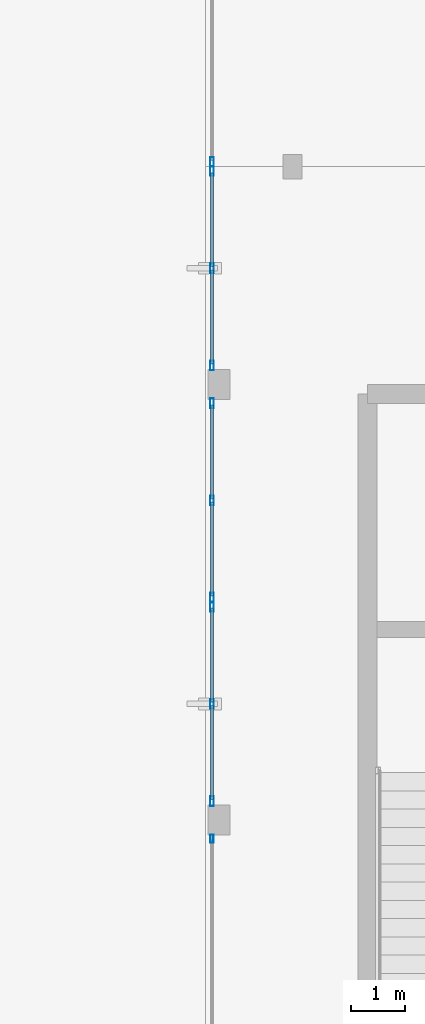
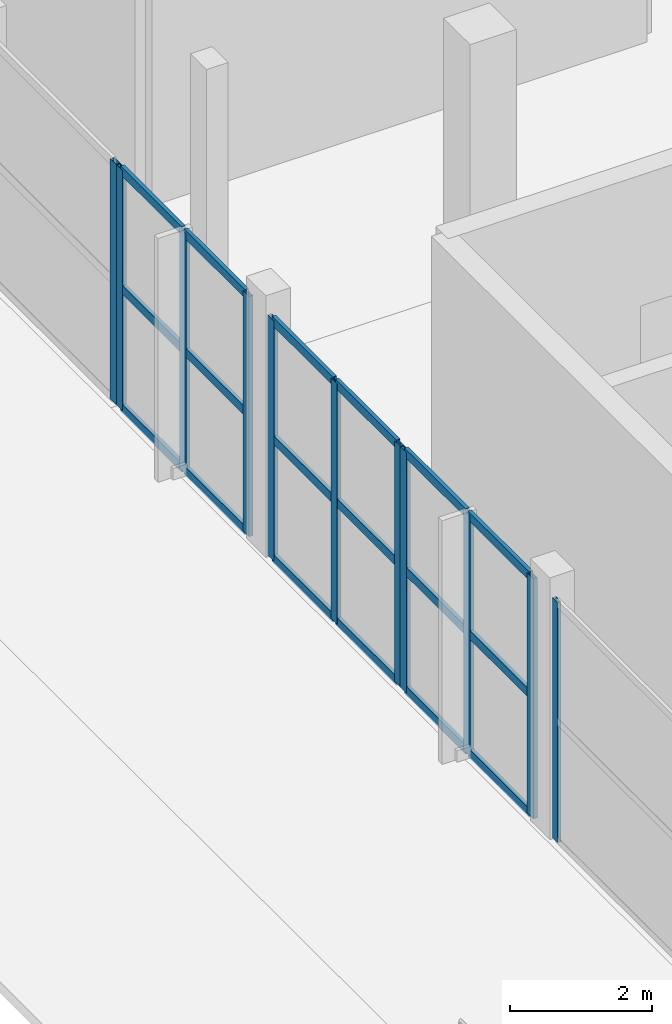
# One storey, part 26 of 123: 29 members, 5 elements without a shape of their own.
"""IFC4 building model written with IfcOpenShell, lengths in metres."""

from ifc_helpers import new_model, si_unit, direction, frame, origin, origin_2d, place, context, subcontext, project, spatial, hollow_rectangle, extrude, material, layer, layer_set, material_profile, profile_set, type_object, element, aggregate, save


model = new_model("IFC4")

# Units and contexts
model_context = context("Model", 3, precision=1e-05, world=origin(), true_north=direction((0.0, 1.0)))
body_context = subcontext(model_context, "Body", "Model", "MODEL_VIEW")
ifc_project = project(units=[si_unit("LENGTHUNIT", "METRE"), si_unit("AREAUNIT", "SQUARE_METRE"), si_unit("VOLUMEUNIT", "CUBIC_METRE"), si_unit("PLANEANGLEUNIT", "RADIAN"), si_unit("MASSUNIT", "GRAM", prefix="KILO")], contexts=[model_context])

# Site, building, storey
site_placement = place(None, origin())
site = spatial("IfcSite", under=ifc_project, at=site_placement, CompositionType="ELEMENT")
building_placement = place(site_placement, origin())
building = spatial("IfcBuilding", under=site, at=building_placement, Name="Kalgoora Escarpment Arena", CompositionType="ELEMENT")
storey_placement = place(building_placement, frame((0.0, 0.0, 9.89990234375)))
storey = spatial("IfcBuildingStorey", under=building, at=storey_placement, Name="L02", CompositionType="ELEMENT", Elevation=9.89990234375)

# Curtain wall, member
ifc_material_1 = material(Name=" Champagne anodised aluminium & double-glazed low-E", Category="aluminium")
ifc_layer_1 = layer(ifc_material_1, 0.14990234375)
ifc_layer_set_1 = layer_set([ifc_layer_1], Name="CW-UNIT-20")
curtain_wall_type_1 = type_object("IfcCurtainWallType", Name="CW-UNIT-20", PredefinedType="NOTDEFINED", material=ifc_layer_set_1)
curtain_wall_1_placement = place(storey_placement, origin())
curtain_wall_1 = element("IfcCurtainWall", 1, at=curtain_wall_1_placement, inside=storey, type_object=curtain_wall_type_1, Name="L02 unitised facade curtain wall 059", PredefinedType="NOTDEFINED")
ifc_material_2 = material(Name="Anodised aluminium 6063-T6", Category="aluminium")
ifc_material_profile_1 = material_profile(ifc_material_2, hollow_rectangle(XDim=0.06005859375, YDim=0.14990234375, WallThickness=0.00341796875, at=origin_2d()))
ifc_profile_set_1 = profile_set([ifc_material_profile_1], Name="Anodised aluminium 6063-T6")
member_type_1 = type_object("IfcMemberType", Name="MEM-CW-MULL-150", PredefinedType="MULLION", material=ifc_profile_set_1)
member_1_placement = place(storey_placement, frame((8.52001953125, 51.65576171875, 0.02001953125), z_axis=(0.0, 0.0, 1.0), x_axis=(-1.0, 0.0, 0.0)))
member_1 = element("IfcMember", 2, at=member_1_placement, type_object=member_type_1, Name="CW-20 mullion 2", PredefinedType="MULLION", context=body_context, shape_type="SweptSolid", body=[
    extrude(hollow_rectangle(XDim=0.06005859375, YDim=0.14990234375, WallThickness=0.00341796875, at=origin_2d()), origin(), (0.0, 0.0, 1.0), 4.130126953125),
])
aggregate(curtain_wall_1, [member_1])

# Curtain wall, members
ifc_material_3 = material(Name=" Champagne anodised aluminium & double-glazed low-E", Category="aluminium")
ifc_layer_2 = layer(ifc_material_3, 0.154052734375)
ifc_layer_set_2 = layer_set([ifc_layer_2], Name="CW-UNIT-01")
curtain_wall_type_2 = type_object("IfcCurtainWallType", Name="CW-UNIT-01", PredefinedType="NOTDEFINED", material=ifc_layer_set_2)
curtain_wall_2_placement = place(storey_placement, origin())
curtain_wall_2 = element("IfcCurtainWall", 3, at=curtain_wall_2_placement, inside=storey, type_object=curtain_wall_type_2, Name="L02 unitised facade curtain wall 060", PredefinedType="NOTDEFINED")
ifc_material_4 = material(Name="Anodised aluminium 6063-T6", Category="aluminium")
ifc_material_profile_2 = material_profile(ifc_material_4, hollow_rectangle(XDim=0.06494140625, YDim=0.179931640625, WallThickness=0.00390625, at=origin_2d()))
ifc_profile_set_2 = profile_set([ifc_material_profile_2], Name="Anodised aluminium 6063-T6")
member_type_2 = type_object("IfcMemberType", Name="MEM-CW-MULL-180", PredefinedType="MULLION", material=ifc_profile_set_2)
member_2_placement = place(storey_placement, frame((8.52001953125, 52.3466796875, 0.02001953125), z_axis=(0.0, 0.0, 1.0), x_axis=(-1.0, 0.0, 0.0)))
member_2 = element("IfcMember", 4, at=member_2_placement, type_object=member_type_2, Name="CW-01 mullion 1", PredefinedType="MULLION", context=body_context, shape_type="SweptSolid", body=[
    extrude(hollow_rectangle(XDim=0.06494140625, YDim=0.179931640625, WallThickness=0.00390625, at=origin_2d()), origin(), (0.0, 0.0, 1.0), 4.130126953125),
])
member_3_placement = place(storey_placement, frame((8.52001953125, 54.132080078125, 0.02001953125), z_axis=(0.0, 0.0, 1.0), x_axis=(-1.0, 0.0, 0.0)))
member_3 = element("IfcMember", 5, at=member_3_placement, type_object=member_type_2, Name="CW-01 mullion 2", PredefinedType="MULLION", context=body_context, shape_type="SweptSolid", body=[
    extrude(hollow_rectangle(XDim=0.06494140625, YDim=0.179931640625, WallThickness=0.00390625, at=origin_2d()), origin(), (0.0, 0.0, 1.0), 4.130126953125),
])
member_4_placement = place(storey_placement, frame((8.52001953125, 55.91748046875, 0.02001953125), z_axis=(0.0, 0.0, 1.0), x_axis=(-1.0, 0.0, 0.0)))
member_4 = element("IfcMember", 6, at=member_4_placement, type_object=member_type_2, Name="CW-01 mullion 3", PredefinedType="MULLION", context=body_context, shape_type="SweptSolid", body=[
    extrude(hollow_rectangle(XDim=0.06494140625, YDim=0.179931640625, WallThickness=0.00390625, at=origin_2d()), origin(), (0.0, 0.0, 1.0), 4.130126953125),
])

ifc_material_5 = material(Name=" Champagne anodised aluminium & double-glazed low-E", Category="aluminium")
ifc_layer_3 = layer(ifc_material_5, 0.157958984375)
ifc_layer_set_3 = layer_set([ifc_layer_3], Name="CW-UNIT-02")
curtain_wall_type_3 = type_object("IfcCurtainWallType", Name="CW-UNIT-02", PredefinedType="NOTDEFINED", material=ifc_layer_set_3)
curtain_wall_3_placement = place(storey_placement, origin())
curtain_wall_3 = element("IfcCurtainWall", 7, at=curtain_wall_3_placement, inside=storey, type_object=curtain_wall_type_3, Name="L02 unitised facade curtain wall 061", PredefinedType="NOTDEFINED")
member_5_placement = place(storey_placement, frame((8.52001953125, 56.08251953125, 0.02001953125), z_axis=(0.0, 0.0, 1.0), x_axis=(-1.0, 0.0, 0.0)))
member_5 = element("IfcMember", 8, at=member_5_placement, type_object=member_type_2, Name="CW-02 mullion 1", PredefinedType="MULLION", context=body_context, shape_type="SweptSolid", body=[
    extrude(hollow_rectangle(XDim=0.06494140625, YDim=0.179931640625, WallThickness=0.00390625, at=origin_2d()), origin(), (0.0, 0.0, 1.0), 4.130126953125),
])
member_6_placement = place(storey_placement, frame((8.52001953125, 57.867919921875, 0.02001953125), z_axis=(0.0, 0.0, 1.0), x_axis=(-1.0, 0.0, 0.0)))
member_6 = element("IfcMember", 9, at=member_6_placement, type_object=member_type_2, Name="CW-02 mullion 2", PredefinedType="MULLION", context=body_context, shape_type="SweptSolid", body=[
    extrude(hollow_rectangle(XDim=0.06494140625, YDim=0.179931640625, WallThickness=0.00390625, at=origin_2d()), origin(), (0.0, 0.0, 1.0), 4.130126953125),
])
member_7_placement = place(storey_placement, frame((8.52001953125, 59.6533203125, 0.02001953125), z_axis=(0.0, 0.0, 1.0), x_axis=(-1.0, 0.0, 0.0)))
member_7 = element("IfcMember", 10, at=member_7_placement, type_object=member_type_2, Name="CW-02 mullion 3", PredefinedType="MULLION", context=body_context, shape_type="SweptSolid", body=[
    extrude(hollow_rectangle(XDim=0.06494140625, YDim=0.179931640625, WallThickness=0.00390625, at=origin_2d()), origin(), (0.0, 0.0, 1.0), 4.130126953125),
])

ifc_material_6 = material(Name=" Champagne anodised aluminium & double-glazed low-E", Category="aluminium")
ifc_layer_4 = layer(ifc_material_6, 0.162109375)
ifc_layer_set_4 = layer_set([ifc_layer_4], Name="CW-UNIT-03")
curtain_wall_type_4 = type_object("IfcCurtainWallType", Name="CW-UNIT-03", PredefinedType="NOTDEFINED", material=ifc_layer_set_4)
curtain_wall_4_placement = place(storey_placement, origin())
curtain_wall_4 = element("IfcCurtainWall", 11, at=curtain_wall_4_placement, inside=storey, type_object=curtain_wall_type_4, Name="L02 unitised facade curtain wall 062", PredefinedType="NOTDEFINED")
member_8_placement = place(storey_placement, frame((8.52001953125, 60.3466796875, 0.02001953125), z_axis=(0.0, 0.0, 1.0), x_axis=(-1.0, 0.0, 0.0)))
member_8 = element("IfcMember", 12, at=member_8_placement, type_object=member_type_2, Name="CW-03 mullion 1", PredefinedType="MULLION", context=body_context, shape_type="SweptSolid", body=[
    extrude(hollow_rectangle(XDim=0.06494140625, YDim=0.179931640625, WallThickness=0.00390625, at=origin_2d()), origin(), (0.0, 0.0, 1.0), 4.130126953125),
])
member_9_placement = place(storey_placement, frame((8.52001953125, 62.132080078125, 0.02001953125), z_axis=(0.0, 0.0, 1.0), x_axis=(-1.0, 0.0, 0.0)))
member_9 = element("IfcMember", 13, at=member_9_placement, type_object=member_type_2, Name="CW-03 mullion 2", PredefinedType="MULLION", context=body_context, shape_type="SweptSolid", body=[
    extrude(hollow_rectangle(XDim=0.06494140625, YDim=0.179931640625, WallThickness=0.00390625, at=origin_2d()), origin(), (0.0, 0.0, 1.0), 4.130126953125),
])
member_10_placement = place(storey_placement, frame((8.52001953125, 63.91748046875, 0.02001953125), z_axis=(0.0, 0.0, 1.0), x_axis=(-1.0, 0.0, 0.0)))
member_10 = element("IfcMember", 14, at=member_10_placement, type_object=member_type_2, Name="CW-03 mullion 3", PredefinedType="MULLION", context=body_context, shape_type="SweptSolid", body=[
    extrude(hollow_rectangle(XDim=0.06494140625, YDim=0.179931640625, WallThickness=0.00390625, at=origin_2d()), origin(), (0.0, 0.0, 1.0), 4.130126953125),
])

# Curtain wall, member
ifc_material_7 = material(Name=" Champagne anodised aluminium & double-glazed low-E", Category="aluminium")
ifc_layer_5 = layer(ifc_material_7, 0.166015625)
ifc_layer_set_5 = layer_set([ifc_layer_5], Name="CW-UNIT-04")
curtain_wall_type_5 = type_object("IfcCurtainWallType", Name="CW-UNIT-04", PredefinedType="NOTDEFINED", material=ifc_layer_set_5)
curtain_wall_5_placement = place(storey_placement, origin())
curtain_wall_5 = element("IfcCurtainWall", 15, at=curtain_wall_5_placement, inside=storey, type_object=curtain_wall_type_5, Name="L02 unitised facade curtain wall 063", PredefinedType="NOTDEFINED")
member_11_placement = place(storey_placement, frame((8.52001953125, 64.08251953125, 0.02001953125), z_axis=(0.0, 0.0, 1.0), x_axis=(-1.0, 0.0, 0.0)))
member_11 = element("IfcMember", 16, at=member_11_placement, type_object=member_type_2, Name="CW-04 mullion 1", PredefinedType="MULLION", context=body_context, shape_type="SweptSolid", body=[
    extrude(hollow_rectangle(XDim=0.06494140625, YDim=0.179931640625, WallThickness=0.00390625, at=origin_2d()), origin(), (0.0, 0.0, 1.0), 4.130126953125),
])
aggregate(curtain_wall_5, [member_11])

# Member
ifc_material_8 = material(Name="Anodised aluminium 6063-T6", Category="aluminium")
ifc_material_profile_3 = material_profile(ifc_material_8, hollow_rectangle(XDim=0.06005859375, YDim=0.14990234375, WallThickness=0.00341796875, at=origin_2d()))
ifc_profile_set_3 = profile_set([ifc_material_profile_3], Name="Anodised aluminium 6063-T6")
member_type_3 = type_object("IfcMemberType", Name="MEM-CW-TRAN-150", PredefinedType="USERDEFINED", material=ifc_profile_set_3)
member_12_placement = place(storey_placement, frame((8.52001953125, 52.379150390625, 0.050048828125), z_axis=(0.0, 1.0, 0.0), x_axis=(-1.0, 0.0, 0.0)))
member_12 = element("IfcMember", 17, at=member_12_placement, type_object=member_type_3, Name="CW-01 transom 1.1", ObjectType="TRANSOM", PredefinedType="USERDEFINED", context=body_context, shape_type="SweptSolid", body=[
    extrude(hollow_rectangle(XDim=0.06005859375, YDim=0.14990234375, WallThickness=0.00341796875, at=origin_2d()), origin(), (0.0, 0.0, 1.0), 1.720458984375),
])

member_13_placement = place(storey_placement, frame((8.52001953125, 52.379150390625, 2.09521484375), z_axis=(0.0, 1.0, 0.0), x_axis=(-1.0, 0.0, 0.0)))
member_13 = element("IfcMember", 18, at=member_13_placement, type_object=member_type_3, Name="CW-01 transom 1.2", ObjectType="TRANSOM", PredefinedType="USERDEFINED", context=body_context, shape_type="SweptSolid", body=[
    extrude(hollow_rectangle(XDim=0.06005859375, YDim=0.14990234375, WallThickness=0.00341796875, at=origin_2d()), origin(), (0.0, 0.0, 1.0), 1.720458984375),
])

member_14_placement = place(storey_placement, frame((8.52001953125, 52.379150390625, 4.1201171875), z_axis=(0.0, 1.0, 0.0), x_axis=(-1.0, 0.0, 0.0)))
member_14 = element("IfcMember", 19, at=member_14_placement, type_object=member_type_3, Name="CW-01 transom 1.3", ObjectType="TRANSOM", PredefinedType="USERDEFINED", context=body_context, shape_type="SweptSolid", body=[
    extrude(hollow_rectangle(XDim=0.06005859375, YDim=0.14990234375, WallThickness=0.00341796875, at=origin_2d()), origin(), (0.0, 0.0, 1.0), 1.720458984375),
])

member_15_placement = place(storey_placement, frame((8.52001953125, 54.16455078125, 0.050048828125), z_axis=(0.0, 1.0, 0.0), x_axis=(-1.0, 0.0, 0.0)))
member_15 = element("IfcMember", 20, at=member_15_placement, type_object=member_type_3, Name="CW-01 transom 2.1", ObjectType="TRANSOM", PredefinedType="USERDEFINED", context=body_context, shape_type="SweptSolid", body=[
    extrude(hollow_rectangle(XDim=0.06005859375, YDim=0.14990234375, WallThickness=0.00341796875, at=origin_2d()), origin(), (0.0, 0.0, 1.0), 1.720458984375),
])

member_16_placement = place(storey_placement, frame((8.52001953125, 54.16455078125, 2.09521484375), z_axis=(0.0, 1.0, 0.0), x_axis=(-1.0, 0.0, 0.0)))
member_16 = element("IfcMember", 21, at=member_16_placement, type_object=member_type_3, Name="CW-01 transom 2.2", ObjectType="TRANSOM", PredefinedType="USERDEFINED", context=body_context, shape_type="SweptSolid", body=[
    extrude(hollow_rectangle(XDim=0.06005859375, YDim=0.14990234375, WallThickness=0.00341796875, at=origin_2d()), origin(), (0.0, 0.0, 1.0), 1.720458984375),
])

member_17_placement = place(storey_placement, frame((8.52001953125, 54.16455078125, 4.1201171875), z_axis=(0.0, 1.0, 0.0), x_axis=(-1.0, 0.0, 0.0)))
member_17 = element("IfcMember", 22, at=member_17_placement, type_object=member_type_3, Name="CW-01 transom 2.3", ObjectType="TRANSOM", PredefinedType="USERDEFINED", context=body_context, shape_type="SweptSolid", body=[
    extrude(hollow_rectangle(XDim=0.06005859375, YDim=0.14990234375, WallThickness=0.00341796875, at=origin_2d()), origin(), (0.0, 0.0, 1.0), 1.720458984375),
])

aggregate(curtain_wall_2, [member_2, member_3, member_4, member_12, member_13, member_14, member_15, member_16, member_17])

member_18_placement = place(storey_placement, frame((8.52001953125, 56.114990234375, 0.050048828125), z_axis=(0.0, 1.0, 0.0), x_axis=(-1.0, 0.0, 0.0)))
member_18 = element("IfcMember", 23, at=member_18_placement, type_object=member_type_3, Name="CW-02 transom 1.1", ObjectType="TRANSOM", PredefinedType="USERDEFINED", context=body_context, shape_type="SweptSolid", body=[
    extrude(hollow_rectangle(XDim=0.06005859375, YDim=0.14990234375, WallThickness=0.00341796875, at=origin_2d()), origin(), (0.0, 0.0, 1.0), 1.720458984375),
])

member_19_placement = place(storey_placement, frame((8.52001953125, 56.114990234375, 2.09521484375), z_axis=(0.0, 1.0, 0.0), x_axis=(-1.0, 0.0, 0.0)))
member_19 = element("IfcMember", 24, at=member_19_placement, type_object=member_type_3, Name="CW-02 transom 1.2", ObjectType="TRANSOM", PredefinedType="USERDEFINED", context=body_context, shape_type="SweptSolid", body=[
    extrude(hollow_rectangle(XDim=0.06005859375, YDim=0.14990234375, WallThickness=0.00341796875, at=origin_2d()), origin(), (0.0, 0.0, 1.0), 1.720458984375),
])

member_20_placement = place(storey_placement, frame((8.52001953125, 56.114990234375, 4.1201171875), z_axis=(0.0, 1.0, 0.0), x_axis=(-1.0, 0.0, 0.0)))
member_20 = element("IfcMember", 25, at=member_20_placement, type_object=member_type_3, Name="CW-02 transom 1.3", ObjectType="TRANSOM", PredefinedType="USERDEFINED", context=body_context, shape_type="SweptSolid", body=[
    extrude(hollow_rectangle(XDim=0.06005859375, YDim=0.14990234375, WallThickness=0.00341796875, at=origin_2d()), origin(), (0.0, 0.0, 1.0), 1.720458984375),
])

member_21_placement = place(storey_placement, frame((8.52001953125, 57.900390625, 0.050048828125), z_axis=(0.0, 1.0, 0.0), x_axis=(-1.0, 0.0, 0.0)))
member_21 = element("IfcMember", 26, at=member_21_placement, type_object=member_type_3, Name="CW-02 transom 2.1", ObjectType="TRANSOM", PredefinedType="USERDEFINED", context=body_context, shape_type="SweptSolid", body=[
    extrude(hollow_rectangle(XDim=0.06005859375, YDim=0.14990234375, WallThickness=0.00341796875, at=origin_2d()), origin(), (0.0, 0.0, 1.0), 1.720458984375),
])

member_22_placement = place(storey_placement, frame((8.52001953125, 57.900390625, 2.09521484375), z_axis=(0.0, 1.0, 0.0), x_axis=(-1.0, 0.0, 0.0)))
member_22 = element("IfcMember", 27, at=member_22_placement, type_object=member_type_3, Name="CW-02 transom 2.2", ObjectType="TRANSOM", PredefinedType="USERDEFINED", context=body_context, shape_type="SweptSolid", body=[
    extrude(hollow_rectangle(XDim=0.06005859375, YDim=0.14990234375, WallThickness=0.00341796875, at=origin_2d()), origin(), (0.0, 0.0, 1.0), 1.720458984375),
])

member_23_placement = place(storey_placement, frame((8.52001953125, 57.900390625, 4.1201171875), z_axis=(0.0, 1.0, 0.0), x_axis=(-1.0, 0.0, 0.0)))
member_23 = element("IfcMember", 28, at=member_23_placement, type_object=member_type_3, Name="CW-02 transom 2.3", ObjectType="TRANSOM", PredefinedType="USERDEFINED", context=body_context, shape_type="SweptSolid", body=[
    extrude(hollow_rectangle(XDim=0.06005859375, YDim=0.14990234375, WallThickness=0.00341796875, at=origin_2d()), origin(), (0.0, 0.0, 1.0), 1.720458984375),
])

aggregate(curtain_wall_3, [member_5, member_6, member_7, member_18, member_19, member_20, member_21, member_22, member_23])

member_24_placement = place(storey_placement, frame((8.52001953125, 60.379150390625, 0.050048828125), z_axis=(0.0, 1.0, 0.0), x_axis=(-1.0, 0.0, 0.0)))
member_24 = element("IfcMember", 29, at=member_24_placement, type_object=member_type_3, Name="CW-03 transom 1.1", ObjectType="TRANSOM", PredefinedType="USERDEFINED", context=body_context, shape_type="SweptSolid", body=[
    extrude(hollow_rectangle(XDim=0.06005859375, YDim=0.14990234375, WallThickness=0.00341796875, at=origin_2d()), origin(), (0.0, 0.0, 1.0), 1.720458984375),
])

member_25_placement = place(storey_placement, frame((8.52001953125, 60.379150390625, 2.09521484375), z_axis=(0.0, 1.0, 0.0), x_axis=(-1.0, 0.0, 0.0)))
member_25 = element("IfcMember", 30, at=member_25_placement, type_object=member_type_3, Name="CW-03 transom 1.2", ObjectType="TRANSOM", PredefinedType="USERDEFINED", context=body_context, shape_type="SweptSolid", body=[
    extrude(hollow_rectangle(XDim=0.06005859375, YDim=0.14990234375, WallThickness=0.00341796875, at=origin_2d()), origin(), (0.0, 0.0, 1.0), 1.720458984375),
])

member_26_placement = place(storey_placement, frame((8.52001953125, 60.379150390625, 4.1201171875), z_axis=(0.0, 1.0, 0.0), x_axis=(-1.0, 0.0, 0.0)))
member_26 = element("IfcMember", 31, at=member_26_placement, type_object=member_type_3, Name="CW-03 transom 1.3", ObjectType="TRANSOM", PredefinedType="USERDEFINED", context=body_context, shape_type="SweptSolid", body=[
    extrude(hollow_rectangle(XDim=0.06005859375, YDim=0.14990234375, WallThickness=0.00341796875, at=origin_2d()), origin(), (0.0, 0.0, 1.0), 1.720458984375),
])

member_27_placement = place(storey_placement, frame((8.52001953125, 62.16455078125, 0.050048828125), z_axis=(0.0, 1.0, 0.0), x_axis=(-1.0, 0.0, 0.0)))
member_27 = element("IfcMember", 32, at=member_27_placement, type_object=member_type_3, Name="CW-03 transom 2.1", ObjectType="TRANSOM", PredefinedType="USERDEFINED", context=body_context, shape_type="SweptSolid", body=[
    extrude(hollow_rectangle(XDim=0.06005859375, YDim=0.14990234375, WallThickness=0.00341796875, at=origin_2d()), origin(), (0.0, 0.0, 1.0), 1.720458984375),
])

member_28_placement = place(storey_placement, frame((8.52001953125, 62.16455078125, 2.09521484375), z_axis=(0.0, 1.0, 0.0), x_axis=(-1.0, 0.0, 0.0)))
member_28 = element("IfcMember", 33, at=member_28_placement, type_object=member_type_3, Name="CW-03 transom 2.2", ObjectType="TRANSOM", PredefinedType="USERDEFINED", context=body_context, shape_type="SweptSolid", body=[
    extrude(hollow_rectangle(XDim=0.06005859375, YDim=0.14990234375, WallThickness=0.00341796875, at=origin_2d()), origin(), (0.0, 0.0, 1.0), 1.720458984375),
])

member_29_placement = place(storey_placement, frame((8.52001953125, 62.16455078125, 4.1201171875), z_axis=(0.0, 1.0, 0.0), x_axis=(-1.0, 0.0, 0.0)))
member_29 = element("IfcMember", 34, at=member_29_placement, type_object=member_type_3, Name="CW-03 transom 2.3", ObjectType="TRANSOM", PredefinedType="USERDEFINED", context=body_context, shape_type="SweptSolid", body=[
    extrude(hollow_rectangle(XDim=0.06005859375, YDim=0.14990234375, WallThickness=0.00341796875, at=origin_2d()), origin(), (0.0, 0.0, 1.0), 1.720458984375),
])

aggregate(curtain_wall_4, [member_8, member_9, member_10, member_24, member_25, member_26, member_27, member_28, member_29])

save(model, "model.ifc")
